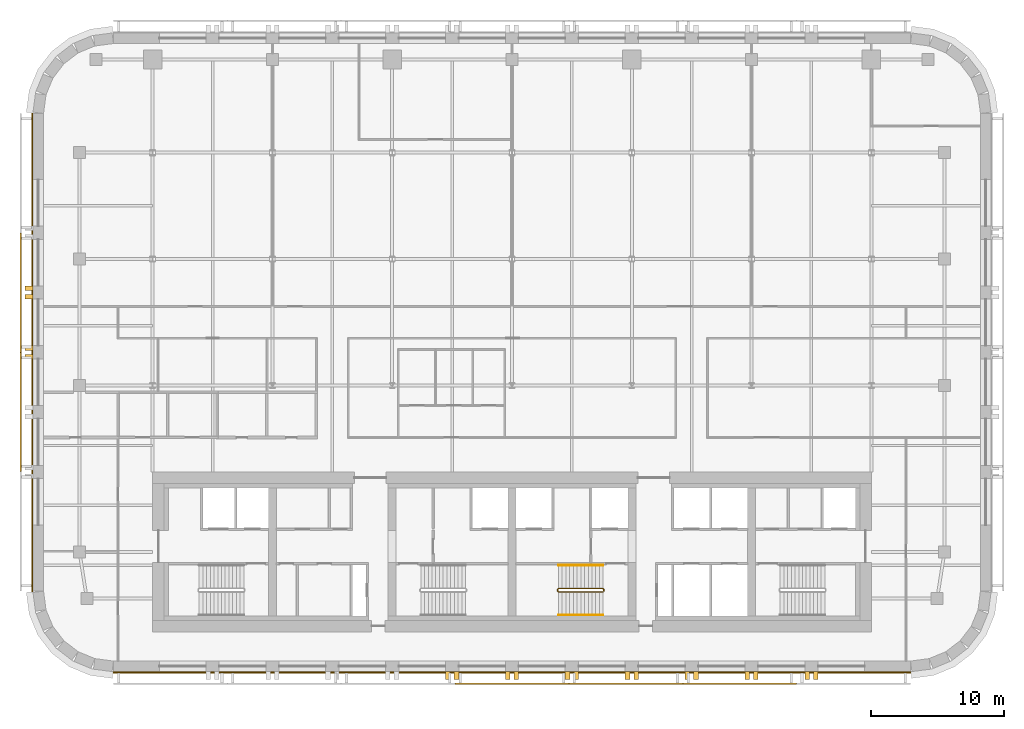
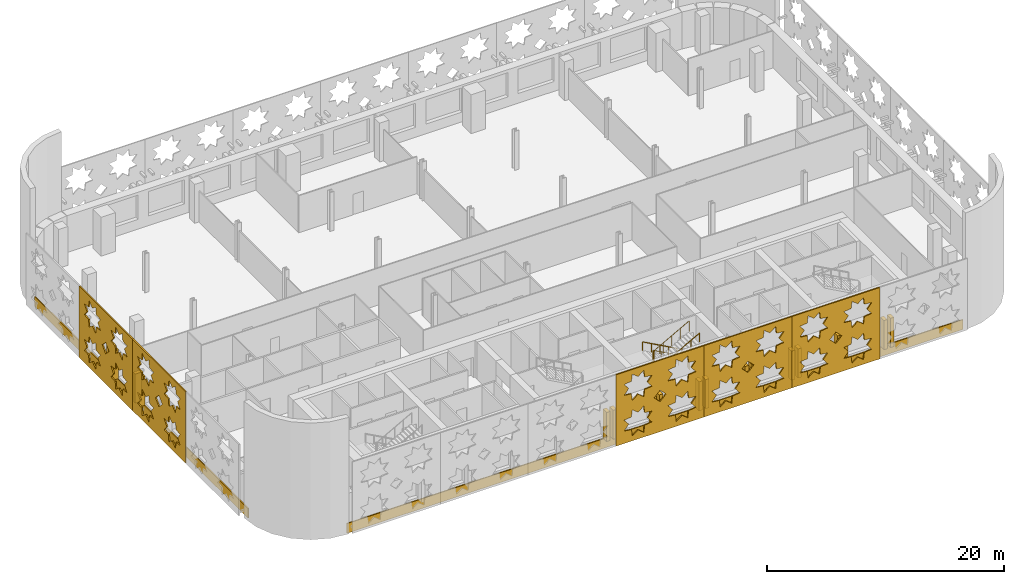
# One storey, part 11 of 14: 25 coverings, 3 railings.
"""IFC4 building model written with IfcOpenShell, lengths in metres."""

from ifc_helpers import new_model, si_unit, direction, frame, origin, origin_2d, place, context, subcontext, project, spatial, polyline, circle, outline, extrude, material, layer, layer_set, type_object, element, save


model = new_model("IFC4")

# Units and contexts
model_context = context("Model", 3, precision=1e-05, world=origin(), true_north=direction((0.0, 1.0)))
body_context = subcontext(model_context, "Body", "Model", "MODEL_VIEW")
ifc_project = project(units=[si_unit("LENGTHUNIT", "METRE"), si_unit("AREAUNIT", "SQUARE_METRE"), si_unit("VOLUMEUNIT", "CUBIC_METRE"), si_unit("PLANEANGLEUNIT", "RADIAN"), si_unit("MASSUNIT", "GRAM", prefix="KILO")], contexts=[model_context])

# Site, building, storey
site_placement = place(None, origin())
site = spatial("IfcSite", under=ifc_project, at=site_placement, CompositionType="ELEMENT")
building_placement = place(site_placement, origin())
building = spatial("IfcBuilding", under=site, at=building_placement, Name="Zellij Exchange Tower", CompositionType="ELEMENT")
storey_placement = place(building_placement, frame((0.0, 0.0, 188.5)))
storey = spatial("IfcBuildingStorey", under=building, at=storey_placement, Name="L43", CompositionType="ELEMENT", Elevation=188.5)

# Railings
ifc_material_1 = material(Name="Stainless steel", Category="steel")
railing_type_1 = type_object("IfcRailingType", Name="CORE-RG stair guard", PredefinedType="GUARDRAIL", material=ifc_material_1)
railing_1_placement = place(storey_placement, frame((6.89990234375, -10.800048828125, 0.0)))
element("IfcRailing", 1, at=railing_1_placement, inside=storey, type_object=railing_type_1, Name="ST3 stair guard L43", PredefinedType="GUARDRAIL", context=body_context, shape_type="SweptSolid", body=[
    extrude(circle(Radius=0.02392578125, at=origin_2d()), frame((0.0, 0.0, 1.076171875), z_axis=(0.0, -1.0, 0.0), x_axis=(1.0, 0.0, 0.0)), (0.0, 0.0, 1.0), 0.14990234375),
    extrude(circle(Radius=0.02392578125, at=origin_2d()), frame((0.0, -0.14990234375, 1.076171875), z_axis=(-0.193691321961, 0.777613689637, 0.598164376644), x_axis=(-0.970351222016, -0.241699205484, 0.0)), (0.0, 0.0, 1.0), 0.257080078125),
    extrude(circle(Radius=0.02392578125, at=origin_2d()), frame((-0.0498046875, 0.050048828125, 1.22998046875), z_axis=(-0.876421534553, 0.0, 0.481544695509), x_axis=(0.0, -1.0, 0.0)), (0.0, 0.0, 1.0), 3.833984375),
    extrude(circle(Radius=0.02392578125, at=origin_2d()), frame((-3.409912109375, 0.050048828125, 3.076171875), z_axis=(-0.707106781187, -0.707106781187, 0.0), x_axis=(0.707106781187, -0.707106781187, 0.0)), (0.0, 0.0, 1.0), 0.07080078125),
    extrude(circle(Radius=0.02392578125, at=origin_2d()), frame((-3.4599609375, 0.0, 3.076171875), z_axis=(0.0, -1.0, 0.0), x_axis=(1.0, 0.0, 0.0)), (0.0, 0.0, 1.0), 0.14990234375),
    extrude(circle(Radius=0.02392578125, at=origin_2d()), frame((-3.4599609375, -0.14990234375, 3.076171875), z_axis=(0.295599637079, -0.295599637079, 0.908428152975), x_axis=(0.707106781187, 0.707106781187, 0.0)), (0.0, 0.0, 1.0), 0.16943359375),
    extrude(circle(Radius=0.02392578125, at=origin_2d()), frame((-3.409912109375, -0.199951171875, 3.22998046875), z_axis=(0.876421534553, 0.0, 0.481544695509), x_axis=(0.0, 1.0, 0.0)), (0.0, 0.0, 1.0), 3.833984375),
    extrude(circle(Radius=0.02099609375, at=origin_2d()), origin(), (0.0, 0.0, 1.0), 1.052001953125),
    extrude(circle(Radius=0.02099609375, at=origin_2d()), frame((0.0, -0.14990234375, 0.0)), (0.0, 0.0, 1.0), 1.052001953125),
    extrude(circle(Radius=0.02099609375, at=origin_2d()), frame((-0.0498046875, 0.050048828125, 0.15380859375)), (0.0, 0.0, 1.0), 1.052001953125),
    extrude(circle(Radius=0.02099609375, at=origin_2d()), frame((-0.889892578125, 0.050048828125, 0.615234375)), (0.0, 0.0, 1.0), 1.052001953125),
    extrude(circle(Radius=0.02099609375, at=origin_2d()), frame((-1.72998046875, 0.050048828125, 1.076904296875)), (0.0, 0.0, 1.0), 1.052001953125),
    extrude(circle(Radius=0.02099609375, at=origin_2d()), frame((-2.56982421875, 0.050048828125, 1.53857421875)), (0.0, 0.0, 1.0), 1.052001953125),
    extrude(circle(Radius=0.02099609375, at=origin_2d()), frame((-3.409912109375, 0.050048828125, 2.0)), (0.0, 0.0, 1.0), 1.052001953125),
    extrude(circle(Radius=0.02099609375, at=origin_2d()), frame((-3.4599609375, 0.0, 2.0)), (0.0, 0.0, 1.0), 1.052001953125),
    extrude(circle(Radius=0.02099609375, at=origin_2d()), frame((-3.4599609375, -0.14990234375, 2.0)), (0.0, 0.0, 1.0), 1.052001953125),
    extrude(circle(Radius=0.02099609375, at=origin_2d()), frame((-3.409912109375, -0.199951171875, 2.15380859375)), (0.0, 0.0, 1.0), 1.052001953125),
    extrude(circle(Radius=0.02099609375, at=origin_2d()), frame((-2.56982421875, -0.199951171875, 2.615234375)), (0.0, 0.0, 1.0), 1.052001953125),
    extrude(circle(Radius=0.02099609375, at=origin_2d()), frame((-1.72998046875, -0.199951171875, 3.076904296875)), (0.0, 0.0, 1.0), 1.052001953125),
    extrude(circle(Radius=0.02099609375, at=origin_2d()), frame((-0.889892578125, -0.199951171875, 3.53857421875)), (0.0, 0.0, 1.0), 1.052001953125),
    extrude(circle(Radius=0.02099609375, at=origin_2d()), frame((-0.0498046875, -0.199951171875, 4.0)), (0.0, 0.0, 1.0), 1.052001953125),
])
railing_type_2 = type_object("IfcRailingType", Name="CORE-RH stair handrail", PredefinedType="HANDRAIL", material=ifc_material_1)
railing_2_placement = place(storey_placement, frame((6.85009765625, -9.0, 0.15380859375)))
element("IfcRailing", 2, at=railing_2_placement, inside=storey, type_object=railing_type_2, Name="ST3 stair handrail L43", PredefinedType="HANDRAIL", context=body_context, shape_type="SweptSolid", body=[
    extrude(circle(Radius=0.02392578125, at=origin_2d()), frame((0.0, 0.0, 0.8759765625), z_axis=(-0.876421534553, 0.0, 0.481544695509), x_axis=(0.0, -1.0, 0.0)), (0.0, 0.0, 1.0), 3.833984375),
    extrude(circle(Radius=0.02099609375, at=origin_2d()), origin(), (0.0, 0.0, 1.0), 0.851806640625),
    extrude(circle(Radius=0.02099609375, at=origin_2d()), frame((-0.840087890625, 0.0, 0.46142578125)), (0.0, 0.0, 1.0), 0.851806640625),
    extrude(circle(Radius=0.02099609375, at=origin_2d()), frame((-1.68017578125, 0.0, 0.923095703125)), (0.0, 0.0, 1.0), 0.851806640625),
    extrude(circle(Radius=0.02099609375, at=origin_2d()), frame((-2.52001953125, 0.0, 1.384765625)), (0.0, 0.0, 1.0), 0.851806640625),
    extrude(circle(Radius=0.02099609375, at=origin_2d()), frame((-3.360107421875, 0.0, 1.84619140625)), (0.0, 0.0, 1.0), 0.851806640625),
])
railing_3_placement = place(storey_placement, frame((3.489990234375, -12.75, 2.15380859375)))
element("IfcRailing", 3, at=railing_3_placement, inside=storey, type_object=railing_type_2, Name="ST3 stair handrail L43", PredefinedType="HANDRAIL", context=body_context, shape_type="SweptSolid", body=[
    extrude(circle(Radius=0.02392578125, at=origin_2d()), frame((0.0, 0.0, 0.8759765625), z_axis=(0.876421534553, 0.0, 0.481544695509), x_axis=(0.0, 1.0, 0.0)), (0.0, 0.0, 1.0), 3.833984375),
    extrude(circle(Radius=0.02099609375, at=origin_2d()), origin(), (0.0, 0.0, 1.0), 0.851806640625),
    extrude(circle(Radius=0.02099609375, at=origin_2d()), frame((0.840087890625, 0.0, 0.46142578125)), (0.0, 0.0, 1.0), 0.851806640625),
    extrude(circle(Radius=0.02099609375, at=origin_2d()), frame((1.68017578125, 0.0, 0.923095703125)), (0.0, 0.0, 1.0), 0.851806640625),
    extrude(circle(Radius=0.02099609375, at=origin_2d()), frame((2.52001953125, 0.0, 1.384765625)), (0.0, 0.0, 1.0), 0.851806640625),
    extrude(circle(Radius=0.02099609375, at=origin_2d()), frame((3.360107421875, 0.0, 1.84619140625)), (0.0, 0.0, 1.0), 0.851806640625),
])

# Coverings
ifc_material_2 = material(Name="Limestone cladding", Category="masonry")
covering_type_1 = type_object("IfcCoveringType", Name="ENV-CV3 Stone pier 350x600", PredefinedType="CLADDING", material=ifc_material_2)
covering_1_placement = place(storey_placement, frame((0.0, 0.0, 0.800048828125)))
element("IfcCovering", 4, at=covering_1_placement, inside=storey, type_object=covering_type_1, Name="Stone pier", PredefinedType="CLADDING", context=body_context, shape_type="SweptSolid", body=[
    extrude(outline(polyline([(-5.0, -17.0), (-4.64990234375, -17.0), (-4.64990234375, -17.60009765625), (-5.0, -17.60009765625), (-5.0, -17.0)])), origin(), (0.0, 0.0, 1.0), 3.0),
])
covering_2_placement = place(storey_placement, frame((0.0, 0.0, 0.800048828125)))
element("IfcCovering", 5, at=covering_2_placement, inside=storey, type_object=covering_type_1, Name="Stone pier", PredefinedType="CLADDING", context=body_context, shape_type="SweptSolid", body=[
    extrude(outline(polyline([(-4.35009765625, -17.0), (-4.0, -17.0), (-4.0, -17.60009765625), (-4.35009765625, -17.60009765625), (-4.35009765625, -17.0)])), origin(), (0.0, 0.0, 1.0), 3.0),
])
covering_3_placement = place(storey_placement, frame((0.0, 0.0, 0.800048828125)))
element("IfcCovering", 6, at=covering_3_placement, inside=storey, type_object=covering_type_1, Name="Stone pier", PredefinedType="CLADDING", context=body_context, shape_type="SweptSolid", body=[
    extrude(outline(polyline([(-0.5, -17.0), (-0.14990234375, -17.0), (-0.14990234375, -17.60009765625), (-0.5, -17.60009765625), (-0.5, -17.0)])), origin(), (0.0, 0.0, 1.0), 3.0),
])
covering_4_placement = place(storey_placement, frame((0.0, 0.0, 0.800048828125)))
element("IfcCovering", 7, at=covering_4_placement, inside=storey, type_object=covering_type_1, Name="Stone pier", PredefinedType="CLADDING", context=body_context, shape_type="SweptSolid", body=[
    extrude(outline(polyline([(0.14990234375, -17.0), (0.5, -17.0), (0.5, -17.60009765625), (0.14990234375, -17.60009765625), (0.14990234375, -17.0)])), origin(), (0.0, 0.0, 1.0), 3.0),
])
covering_5_placement = place(storey_placement, frame((0.0, 0.0, 0.800048828125)))
element("IfcCovering", 8, at=covering_5_placement, inside=storey, type_object=covering_type_1, Name="Stone pier", PredefinedType="CLADDING", context=body_context, shape_type="SweptSolid", body=[
    extrude(outline(polyline([(4.0, -17.0), (4.35009765625, -17.0), (4.35009765625, -17.60009765625), (4.0, -17.60009765625), (4.0, -17.0)])), origin(), (0.0, 0.0, 1.0), 3.0),
])
covering_6_placement = place(storey_placement, frame((0.0, 0.0, 0.800048828125)))
element("IfcCovering", 9, at=covering_6_placement, inside=storey, type_object=covering_type_1, Name="Stone pier", PredefinedType="CLADDING", context=body_context, shape_type="SweptSolid", body=[
    extrude(outline(polyline([(4.64990234375, -17.0), (5.0, -17.0), (5.0, -17.60009765625), (4.64990234375, -17.60009765625), (4.64990234375, -17.0)])), origin(), (0.0, 0.0, 1.0), 3.0),
])
covering_7_placement = place(storey_placement, frame((0.0, 0.0, 0.800048828125)))
element("IfcCovering", 10, at=covering_7_placement, inside=storey, type_object=covering_type_1, Name="Stone pier", PredefinedType="CLADDING", context=body_context, shape_type="SweptSolid", body=[
    extrude(outline(polyline([(8.5, -17.0), (8.85009765625, -17.0), (8.85009765625, -17.60009765625), (8.5, -17.60009765625), (8.5, -17.0)])), origin(), (0.0, 0.0, 1.0), 3.0),
])
covering_8_placement = place(storey_placement, frame((0.0, 0.0, 0.800048828125)))
element("IfcCovering", 11, at=covering_8_placement, inside=storey, type_object=covering_type_1, Name="Stone pier", PredefinedType="CLADDING", context=body_context, shape_type="SweptSolid", body=[
    extrude(outline(polyline([(9.14990234375, -17.0), (9.5, -17.0), (9.5, -17.60009765625), (9.14990234375, -17.60009765625), (9.14990234375, -17.0)])), origin(), (0.0, 0.0, 1.0), 3.0),
])
covering_9_placement = place(storey_placement, frame((0.0, 0.0, 0.800048828125)))
element("IfcCovering", 12, at=covering_9_placement, inside=storey, type_object=covering_type_1, Name="Stone pier", PredefinedType="CLADDING", context=body_context, shape_type="SweptSolid", body=[
    extrude(outline(polyline([(13.0, -17.0), (13.35009765625, -17.0), (13.35009765625, -17.60009765625), (13.0, -17.60009765625), (13.0, -17.0)])), origin(), (0.0, 0.0, 1.0), 3.0),
])
covering_10_placement = place(storey_placement, frame((0.0, 0.0, 0.800048828125)))
element("IfcCovering", 13, at=covering_10_placement, inside=storey, type_object=covering_type_1, Name="Stone pier", PredefinedType="CLADDING", context=body_context, shape_type="SweptSolid", body=[
    extrude(outline(polyline([(13.64990234375, -17.0), (14.0, -17.0), (14.0, -17.60009765625), (13.64990234375, -17.60009765625), (13.64990234375, -17.0)])), origin(), (0.0, 0.0, 1.0), 3.0),
])
covering_11_placement = place(storey_placement, frame((0.0, 0.0, 0.800048828125)))
element("IfcCovering", 14, at=covering_11_placement, inside=storey, type_object=covering_type_1, Name="Stone pier", PredefinedType="CLADDING", context=body_context, shape_type="SweptSolid", body=[
    extrude(outline(polyline([(17.5, -17.0), (17.85009765625, -17.0), (17.85009765625, -17.60009765625), (17.5, -17.60009765625), (17.5, -17.0)])), origin(), (0.0, 0.0, 1.0), 3.0),
])
covering_12_placement = place(storey_placement, frame((0.0, 0.0, 0.800048828125)))
element("IfcCovering", 15, at=covering_12_placement, inside=storey, type_object=covering_type_1, Name="Stone pier", PredefinedType="CLADDING", context=body_context, shape_type="SweptSolid", body=[
    extrude(outline(polyline([(18.14990234375, -17.0), (18.5, -17.0), (18.5, -17.60009765625), (18.14990234375, -17.60009765625), (18.14990234375, -17.0)])), origin(), (0.0, 0.0, 1.0), 3.0),
])
covering_13_placement = place(storey_placement, frame((0.0, 0.0, 0.800048828125)))
element("IfcCovering", 16, at=covering_13_placement, inside=storey, type_object=covering_type_1, Name="Stone pier", PredefinedType="CLADDING", context=body_context, shape_type="SweptSolid", body=[
    extrude(outline(polyline([(22.0, -17.0), (22.35009765625, -17.0), (22.35009765625, -17.60009765625), (22.0, -17.60009765625), (22.0, -17.0)])), origin(), (0.0, 0.0, 1.0), 3.0),
])
covering_14_placement = place(storey_placement, frame((0.0, 0.0, 0.800048828125)))
element("IfcCovering", 17, at=covering_14_placement, inside=storey, type_object=covering_type_1, Name="Stone pier", PredefinedType="CLADDING", context=body_context, shape_type="SweptSolid", body=[
    extrude(outline(polyline([(22.64990234375, -17.0), (23.0, -17.0), (23.0, -17.60009765625), (22.64990234375, -17.60009765625), (22.64990234375, -17.0)])), origin(), (0.0, 0.0, 1.0), 3.0),
])
covering_15_placement = place(storey_placement, frame((0.0, 0.0, 0.800048828125)))
element("IfcCovering", 18, at=covering_15_placement, inside=storey, type_object=covering_type_1, Name="Stone pier", PredefinedType="CLADDING", context=body_context, shape_type="SweptSolid", body=[
    extrude(outline(polyline([(-36.0, 11.993408203125), (-36.0, 11.6435546875), (-36.60009765625, 11.6435546875), (-36.60009765625, 11.993408203125), (-36.0, 11.993408203125)])), origin(), (0.0, 0.0, 1.0), 3.0),
])
covering_16_placement = place(storey_placement, frame((0.0, 0.0, 0.800048828125)))
element("IfcCovering", 19, at=covering_16_placement, inside=storey, type_object=covering_type_1, Name="Stone pier", PredefinedType="CLADDING", context=body_context, shape_type="SweptSolid", body=[
    extrude(outline(polyline([(-36.0, 11.343505859375), (-36.0, 10.993408203125), (-36.60009765625, 10.993408203125), (-36.60009765625, 11.343505859375), (-36.0, 11.343505859375)])), origin(), (0.0, 0.0, 1.0), 3.0),
])
covering_17_placement = place(storey_placement, frame((0.0, 0.0, 0.800048828125)))
element("IfcCovering", 20, at=covering_17_placement, inside=storey, type_object=covering_type_1, Name="Stone pier", PredefinedType="CLADDING", context=body_context, shape_type="SweptSolid", body=[
    extrude(outline(polyline([(-36.0, 7.5), (-36.0, 7.14990234375), (-36.60009765625, 7.14990234375), (-36.60009765625, 7.5), (-36.0, 7.5)])), origin(), (0.0, 0.0, 1.0), 3.0),
])
covering_18_placement = place(storey_placement, frame((0.0, 0.0, 0.800048828125)))
element("IfcCovering", 21, at=covering_18_placement, inside=storey, type_object=covering_type_1, Name="Stone pier", PredefinedType="CLADDING", context=body_context, shape_type="SweptSolid", body=[
    extrude(outline(polyline([(-36.0, 6.85009765625), (-36.0, 6.5), (-36.60009765625, 6.5), (-36.60009765625, 6.85009765625), (-36.0, 6.85009765625)])), origin(), (0.0, 0.0, 1.0), 3.0),
])
ifc_layer_1 = layer(ifc_material_2, 0.10009765625)
ifc_layer_set_1 = layer_set([ifc_layer_1], Name="Limestone cladding")
covering_type_2 = type_object("IfcCoveringType", Name="ENV-CV9 Stone spandrel band 100", PredefinedType="CLADDING", material=ifc_layer_set_1)
covering_19_placement = place(storey_placement, frame((0.0, 0.0, -0.199951171875)))
element("IfcCovering", 22, at=covering_19_placement, inside=storey, type_object=covering_type_2, Name="Stone spandrel band", PredefinedType="CLADDING", context=body_context, shape_type="SweptSolid", body=[
    extrude(outline(polyline([(-29.973876953125, -17.0), (29.973876953125, -17.0), (29.980224609375, -17.10009765625), (-29.980224609375, -17.10009765625), (-29.973876953125, -17.0)])), origin(), (0.0, 0.0, 1.0), 1.0),
])
covering_20_placement = place(storey_placement, frame((0.0, 0.0, -0.199951171875)))
element("IfcCovering", 23, at=covering_20_placement, inside=storey, type_object=covering_type_2, Name="Stone spandrel band", PredefinedType="CLADDING", context=body_context, shape_type="SweptSolid", body=[
    extrude(outline(polyline([(-36.0, 24.973876953125), (-36.0, -10.973876953125), (-36.10009765625, -10.980224609375), (-36.10009765625, 24.980224609375), (-36.0, 24.973876953125)])), origin(), (0.0, 0.0, 1.0), 1.0),
])
ifc_material_3 = material(Name="Limestone screen", Category="masonry")
ifc_layer_2 = layer(ifc_material_3, 0.1201171875)
ifc_layer_set_2 = layer_set([ifc_layer_2], Name="Limestone screen")
covering_type_3 = type_object("IfcCoveringType", Name="ENV-SC1 Pierced stone screen 120", PredefinedType="USERDEFINED", material=ifc_layer_set_2)
covering_21_placement = place(storey_placement, frame((-36.909912109375, 15.973876953125, 0.300048828125), z_axis=(0.0, 0.0, 1.0), x_axis=(0.0, -1.0, 0.0)))
element("IfcCovering", 24, at=covering_21_placement, inside=storey, type_object=covering_type_3, Name="Pierced stone screen", ObjectType="SCREEN", PredefinedType="USERDEFINED", context=body_context, shape_type="SweptSolid", body=[
    extrude(outline(polyline([(0.0, 0.0), (8.973876953125, 0.0), (8.973876953125, 7.35009765625), (0.0, 7.35009765625), (0.0, 0.0)]), holes=[polyline([(3.6015625, 2.39990234375), (2.887939453125, 2.48193359375), (2.805908203125, 3.195556640625), (2.243408203125, 2.748779296875), (1.680908203125, 3.195556640625), (1.59912109375, 2.48193359375), (0.88525390625, 2.39990234375), (1.33203125, 1.83740234375), (0.88525390625, 1.27490234375), (1.59912109375, 1.193115234375), (1.680908203125, 0.4794921875), (2.243408203125, 0.926025390625), (2.805908203125, 0.4794921875), (2.887939453125, 1.193115234375), (3.6015625, 1.27490234375), (3.15478515625, 1.83740234375), (3.6015625, 2.39990234375)]), polyline([(3.6015625, 6.074951171875), (2.887939453125, 6.156982421875), (2.805908203125, 6.87060546875), (2.243408203125, 6.423828125), (1.680908203125, 6.87060546875), (1.59912109375, 6.156982421875), (0.88525390625, 6.074951171875), (1.33203125, 5.512451171875), (0.88525390625, 4.949951171875), (1.59912109375, 4.867919921875), (1.680908203125, 4.154296875), (2.243408203125, 4.60107421875), (2.805908203125, 4.154296875), (2.887939453125, 4.867919921875), (3.6015625, 4.949951171875), (3.15478515625, 5.512451171875), (3.6015625, 6.074951171875)]), polyline([(8.08837890625, 2.39990234375), (7.374755859375, 2.48193359375), (7.29296875, 3.195556640625), (6.730224609375, 2.748779296875), (6.167724609375, 3.195556640625), (6.0859375, 2.48193359375), (5.372314453125, 2.39990234375), (5.81884765625, 1.83740234375), (5.372314453125, 1.27490234375), (6.0859375, 1.193115234375), (6.167724609375, 0.4794921875), (6.730224609375, 0.926025390625), (7.29296875, 0.4794921875), (7.374755859375, 1.193115234375), (8.08837890625, 1.27490234375), (7.6416015625, 1.83740234375), (8.08837890625, 2.39990234375)]), polyline([(8.08837890625, 6.074951171875), (7.374755859375, 6.156982421875), (7.29296875, 6.87060546875), (6.730224609375, 6.423828125), (6.167724609375, 6.87060546875), (6.0859375, 6.156982421875), (5.372314453125, 6.074951171875), (5.81884765625, 5.512451171875), (5.372314453125, 4.949951171875), (6.0859375, 4.867919921875), (6.167724609375, 4.154296875), (6.730224609375, 4.60107421875), (7.29296875, 4.154296875), (7.374755859375, 4.867919921875), (8.08837890625, 4.949951171875), (7.6416015625, 5.512451171875), (8.08837890625, 6.074951171875)]), polyline([(5.074951171875, 3.675048828125), (4.48681640625, 4.262939453125), (3.89892578125, 3.675048828125), (4.48681640625, 3.0869140625), (5.074951171875, 3.675048828125)])]), frame((0.0, 0.06005859375, 0.0), z_axis=(0.0, -1.0, 0.0), x_axis=(1.0, 0.0, 0.0)), (0.0, 0.0, 1.0), 0.1201171875),
])
covering_22_placement = place(storey_placement, frame((-36.909912109375, 7.0, 0.300048828125), z_axis=(0.0, 0.0, 1.0), x_axis=(0.0, -1.0, 0.0)))
element("IfcCovering", 25, at=covering_22_placement, inside=storey, type_object=covering_type_3, Name="Pierced stone screen", ObjectType="SCREEN", PredefinedType="USERDEFINED", context=body_context, shape_type="SweptSolid", body=[
    extrude(outline(polyline([(0.0, 0.0), (8.973876953125, 0.0), (8.973876953125, 7.35009765625), (0.0, 7.35009765625), (0.0, 0.0)]), holes=[polyline([(3.6015625, 2.39990234375), (2.887939453125, 2.48193359375), (2.805908203125, 3.195556640625), (2.243408203125, 2.748779296875), (1.680908203125, 3.195556640625), (1.59912109375, 2.48193359375), (0.88525390625, 2.39990234375), (1.33203125, 1.83740234375), (0.88525390625, 1.27490234375), (1.59912109375, 1.193115234375), (1.680908203125, 0.4794921875), (2.243408203125, 0.926025390625), (2.805908203125, 0.4794921875), (2.887939453125, 1.193115234375), (3.6015625, 1.27490234375), (3.15478515625, 1.83740234375), (3.6015625, 2.39990234375)]), polyline([(3.6015625, 6.074951171875), (2.887939453125, 6.156982421875), (2.805908203125, 6.87060546875), (2.243408203125, 6.423828125), (1.680908203125, 6.87060546875), (1.59912109375, 6.156982421875), (0.88525390625, 6.074951171875), (1.33203125, 5.512451171875), (0.88525390625, 4.949951171875), (1.59912109375, 4.867919921875), (1.680908203125, 4.154296875), (2.243408203125, 4.60107421875), (2.805908203125, 4.154296875), (2.887939453125, 4.867919921875), (3.6015625, 4.949951171875), (3.15478515625, 5.512451171875), (3.6015625, 6.074951171875)]), polyline([(8.08837890625, 2.39990234375), (7.374755859375, 2.48193359375), (7.29296875, 3.195556640625), (6.730224609375, 2.748779296875), (6.167724609375, 3.195556640625), (6.0859375, 2.48193359375), (5.372314453125, 2.39990234375), (5.81884765625, 1.83740234375), (5.372314453125, 1.27490234375), (6.0859375, 1.193115234375), (6.167724609375, 0.4794921875), (6.730224609375, 0.926025390625), (7.29296875, 0.4794921875), (7.374755859375, 1.193115234375), (8.08837890625, 1.27490234375), (7.6416015625, 1.83740234375), (8.08837890625, 2.39990234375)]), polyline([(8.08837890625, 6.074951171875), (7.374755859375, 6.156982421875), (7.29296875, 6.87060546875), (6.730224609375, 6.423828125), (6.167724609375, 6.87060546875), (6.0859375, 6.156982421875), (5.372314453125, 6.074951171875), (5.81884765625, 5.512451171875), (5.372314453125, 4.949951171875), (6.0859375, 4.867919921875), (6.167724609375, 4.154296875), (6.730224609375, 4.60107421875), (7.29296875, 4.154296875), (7.374755859375, 4.867919921875), (8.08837890625, 4.949951171875), (7.6416015625, 5.512451171875), (8.08837890625, 6.074951171875)]), polyline([(5.074951171875, 3.675048828125), (4.48681640625, 4.262939453125), (3.89892578125, 3.675048828125), (4.48681640625, 3.0869140625), (5.074951171875, 3.675048828125)])]), frame((0.0, 0.06005859375, 0.0), z_axis=(0.0, -1.0, 0.0), x_axis=(1.0, 0.0, 0.0)), (0.0, 0.0, 1.0), 0.1201171875),
])
covering_23_placement = place(storey_placement, frame((-4.2783203125, -17.909912109375, 0.300048828125), z_axis=(0.0, 0.0, 1.0), x_axis=(1.0, 0.0, 0.0)))
element("IfcCovering", 26, at=covering_23_placement, inside=storey, type_object=covering_type_3, Name="Pierced stone screen", ObjectType="SCREEN", PredefinedType="USERDEFINED", context=body_context, shape_type="SweptSolid", body=[
    extrude(outline(polyline([(0.0, 0.0), (8.556396484375, 0.0), (8.556396484375, 7.35009765625), (0.0, 7.35009765625), (0.0, 0.0)]), holes=[polyline([(3.497314453125, 2.39990234375), (2.78369140625, 2.48193359375), (2.70166015625, 3.195556640625), (2.13916015625, 2.748779296875), (1.57666015625, 3.195556640625), (1.49462890625, 2.48193359375), (0.781005859375, 2.39990234375), (1.227783203125, 1.83740234375), (0.781005859375, 1.27490234375), (1.49462890625, 1.193115234375), (1.57666015625, 0.4794921875), (2.13916015625, 0.926025390625), (2.70166015625, 0.4794921875), (2.78369140625, 1.193115234375), (3.497314453125, 1.27490234375), (3.050537109375, 1.83740234375), (3.497314453125, 2.39990234375)]), polyline([(3.497314453125, 6.074951171875), (2.78369140625, 6.156982421875), (2.70166015625, 6.87060546875), (2.13916015625, 6.423828125), (1.57666015625, 6.87060546875), (1.49462890625, 6.156982421875), (0.781005859375, 6.074951171875), (1.227783203125, 5.512451171875), (0.781005859375, 4.949951171875), (1.49462890625, 4.867919921875), (1.57666015625, 4.154296875), (2.13916015625, 4.60107421875), (2.70166015625, 4.154296875), (2.78369140625, 4.867919921875), (3.497314453125, 4.949951171875), (3.050537109375, 5.512451171875), (3.497314453125, 6.074951171875)]), polyline([(7.775390625, 2.39990234375), (7.061767578125, 2.48193359375), (6.97998046875, 3.195556640625), (6.417236328125, 2.748779296875), (5.854736328125, 3.195556640625), (5.77294921875, 2.48193359375), (5.05908203125, 2.39990234375), (5.505859375, 1.83740234375), (5.05908203125, 1.27490234375), (5.77294921875, 1.193115234375), (5.854736328125, 0.4794921875), (6.417236328125, 0.926025390625), (6.97998046875, 0.4794921875), (7.061767578125, 1.193115234375), (7.775390625, 1.27490234375), (7.32861328125, 1.83740234375), (7.775390625, 2.39990234375)]), polyline([(7.775390625, 6.074951171875), (7.061767578125, 6.156982421875), (6.97998046875, 6.87060546875), (6.417236328125, 6.423828125), (5.854736328125, 6.87060546875), (5.77294921875, 6.156982421875), (5.05908203125, 6.074951171875), (5.505859375, 5.512451171875), (5.05908203125, 4.949951171875), (5.77294921875, 4.867919921875), (5.854736328125, 4.154296875), (6.417236328125, 4.60107421875), (6.97998046875, 4.154296875), (7.061767578125, 4.867919921875), (7.775390625, 4.949951171875), (7.32861328125, 5.512451171875), (7.775390625, 6.074951171875)]), polyline([(4.8662109375, 3.675048828125), (4.2783203125, 4.262939453125), (3.690185546875, 3.675048828125), (4.2783203125, 3.0869140625), (4.8662109375, 3.675048828125)])]), frame((0.0, 0.06005859375, 0.0), z_axis=(0.0, -1.0, 0.0), x_axis=(1.0, 0.0, 0.0)), (0.0, 0.0, 1.0), 0.1201171875),
])
covering_24_placement = place(storey_placement, frame((4.2783203125, -17.909912109375, 0.300048828125), z_axis=(0.0, 0.0, 1.0), x_axis=(1.0, 0.0, 0.0)))
element("IfcCovering", 27, at=covering_24_placement, inside=storey, type_object=covering_type_3, Name="Pierced stone screen", ObjectType="SCREEN", PredefinedType="USERDEFINED", context=body_context, shape_type="SweptSolid", body=[
    extrude(outline(polyline([(0.0, 0.0), (8.556396484375, 0.0), (8.556396484375, 7.35009765625), (0.0, 7.35009765625), (0.0, 0.0)]), holes=[polyline([(3.497314453125, 2.39990234375), (2.78369140625, 2.48193359375), (2.70166015625, 3.195556640625), (2.13916015625, 2.748779296875), (1.57666015625, 3.195556640625), (1.49462890625, 2.48193359375), (0.781005859375, 2.39990234375), (1.227783203125, 1.83740234375), (0.781005859375, 1.27490234375), (1.49462890625, 1.193115234375), (1.57666015625, 0.4794921875), (2.13916015625, 0.926025390625), (2.70166015625, 0.4794921875), (2.78369140625, 1.193115234375), (3.497314453125, 1.27490234375), (3.050537109375, 1.83740234375), (3.497314453125, 2.39990234375)]), polyline([(3.497314453125, 6.074951171875), (2.78369140625, 6.156982421875), (2.70166015625, 6.87060546875), (2.13916015625, 6.423828125), (1.57666015625, 6.87060546875), (1.49462890625, 6.156982421875), (0.781005859375, 6.074951171875), (1.227783203125, 5.512451171875), (0.781005859375, 4.949951171875), (1.49462890625, 4.867919921875), (1.57666015625, 4.154296875), (2.13916015625, 4.60107421875), (2.70166015625, 4.154296875), (2.78369140625, 4.867919921875), (3.497314453125, 4.949951171875), (3.050537109375, 5.512451171875), (3.497314453125, 6.074951171875)]), polyline([(7.775390625, 2.39990234375), (7.061767578125, 2.48193359375), (6.97998046875, 3.195556640625), (6.417236328125, 2.748779296875), (5.854736328125, 3.195556640625), (5.77294921875, 2.48193359375), (5.05908203125, 2.39990234375), (5.505859375, 1.83740234375), (5.05908203125, 1.27490234375), (5.77294921875, 1.193115234375), (5.854736328125, 0.4794921875), (6.417236328125, 0.926025390625), (6.97998046875, 0.4794921875), (7.061767578125, 1.193115234375), (7.775390625, 1.27490234375), (7.32861328125, 1.83740234375), (7.775390625, 2.39990234375)]), polyline([(7.775390625, 6.074951171875), (7.061767578125, 6.156982421875), (6.97998046875, 6.87060546875), (6.417236328125, 6.423828125), (5.854736328125, 6.87060546875), (5.77294921875, 6.156982421875), (5.05908203125, 6.074951171875), (5.505859375, 5.512451171875), (5.05908203125, 4.949951171875), (5.77294921875, 4.867919921875), (5.854736328125, 4.154296875), (6.417236328125, 4.60107421875), (6.97998046875, 4.154296875), (7.061767578125, 4.867919921875), (7.775390625, 4.949951171875), (7.32861328125, 5.512451171875), (7.775390625, 6.074951171875)]), polyline([(4.8662109375, 3.675048828125), (4.2783203125, 4.262939453125), (3.690185546875, 3.675048828125), (4.2783203125, 3.0869140625), (4.8662109375, 3.675048828125)])]), frame((0.0, 0.06005859375, 0.0), z_axis=(0.0, -1.0, 0.0), x_axis=(1.0, 0.0, 0.0)), (0.0, 0.0, 1.0), 0.1201171875),
])
covering_25_placement = place(storey_placement, frame((12.834716796875, -17.909912109375, 0.300048828125), z_axis=(0.0, 0.0, 1.0), x_axis=(1.0, 0.0, 0.0)))
element("IfcCovering", 28, at=covering_25_placement, inside=storey, type_object=covering_type_3, Name="Pierced stone screen", ObjectType="SCREEN", PredefinedType="USERDEFINED", context=body_context, shape_type="SweptSolid", body=[
    extrude(outline(polyline([(0.0, 0.0), (8.556396484375, 0.0), (8.556396484375, 7.35009765625), (0.0, 7.35009765625), (0.0, 0.0)]), holes=[polyline([(3.497314453125, 2.39990234375), (2.78369140625, 2.48193359375), (2.70166015625, 3.195556640625), (2.13916015625, 2.748779296875), (1.57666015625, 3.195556640625), (1.49462890625, 2.48193359375), (0.781005859375, 2.39990234375), (1.227783203125, 1.83740234375), (0.781005859375, 1.27490234375), (1.49462890625, 1.193115234375), (1.57666015625, 0.4794921875), (2.13916015625, 0.926025390625), (2.70166015625, 0.4794921875), (2.78369140625, 1.193115234375), (3.497314453125, 1.27490234375), (3.050537109375, 1.83740234375), (3.497314453125, 2.39990234375)]), polyline([(3.497314453125, 6.074951171875), (2.78369140625, 6.156982421875), (2.70166015625, 6.87060546875), (2.13916015625, 6.423828125), (1.57666015625, 6.87060546875), (1.49462890625, 6.156982421875), (0.781005859375, 6.074951171875), (1.227783203125, 5.512451171875), (0.781005859375, 4.949951171875), (1.49462890625, 4.867919921875), (1.57666015625, 4.154296875), (2.13916015625, 4.60107421875), (2.70166015625, 4.154296875), (2.78369140625, 4.867919921875), (3.497314453125, 4.949951171875), (3.050537109375, 5.512451171875), (3.497314453125, 6.074951171875)]), polyline([(7.775390625, 2.39990234375), (7.061767578125, 2.48193359375), (6.97998046875, 3.195556640625), (6.417236328125, 2.748779296875), (5.854736328125, 3.195556640625), (5.77294921875, 2.48193359375), (5.05908203125, 2.39990234375), (5.505859375, 1.83740234375), (5.05908203125, 1.27490234375), (5.77294921875, 1.193115234375), (5.854736328125, 0.4794921875), (6.417236328125, 0.926025390625), (6.97998046875, 0.4794921875), (7.061767578125, 1.193115234375), (7.775390625, 1.27490234375), (7.32861328125, 1.83740234375), (7.775390625, 2.39990234375)]), polyline([(7.775390625, 6.074951171875), (7.061767578125, 6.156982421875), (6.97998046875, 6.87060546875), (6.417236328125, 6.423828125), (5.854736328125, 6.87060546875), (5.77294921875, 6.156982421875), (5.05908203125, 6.074951171875), (5.505859375, 5.512451171875), (5.05908203125, 4.949951171875), (5.77294921875, 4.867919921875), (5.854736328125, 4.154296875), (6.417236328125, 4.60107421875), (6.97998046875, 4.154296875), (7.061767578125, 4.867919921875), (7.775390625, 4.949951171875), (7.32861328125, 5.512451171875), (7.775390625, 6.074951171875)]), polyline([(4.8662109375, 3.675048828125), (4.2783203125, 4.262939453125), (3.690185546875, 3.675048828125), (4.2783203125, 3.0869140625), (4.8662109375, 3.675048828125)])]), frame((0.0, 0.06005859375, 0.0), z_axis=(0.0, -1.0, 0.0), x_axis=(1.0, 0.0, 0.0)), (0.0, 0.0, 1.0), 0.1201171875),
])

save(model, "model.ifc")
